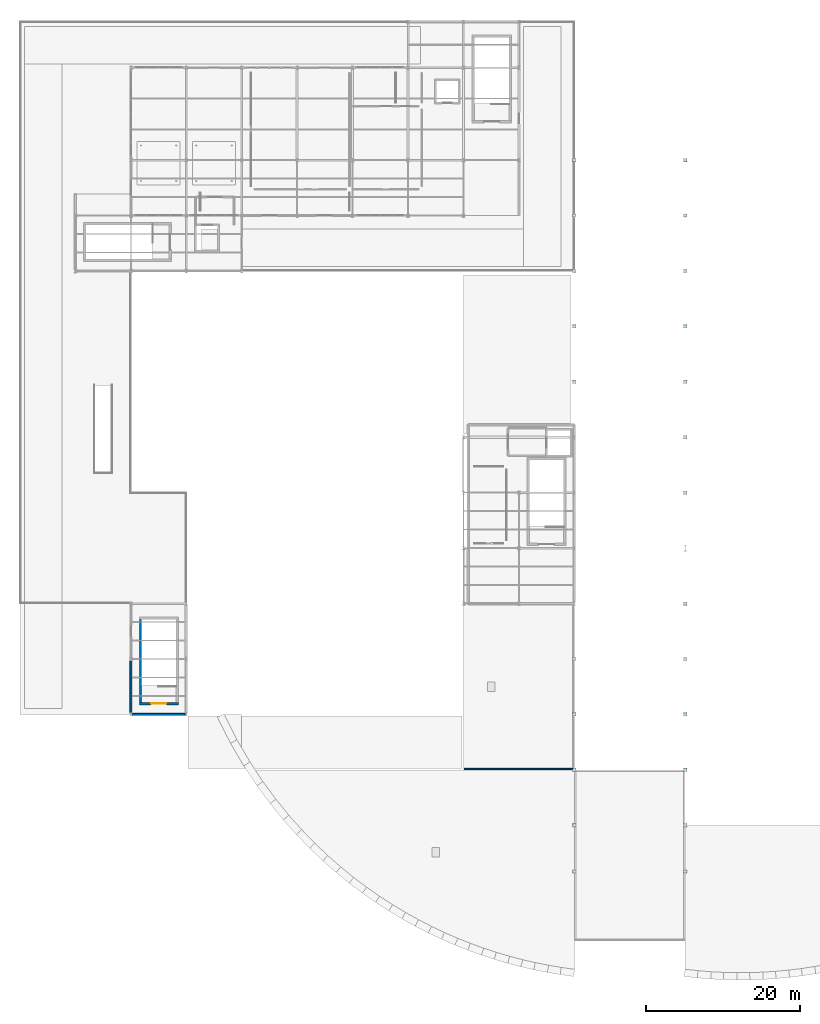
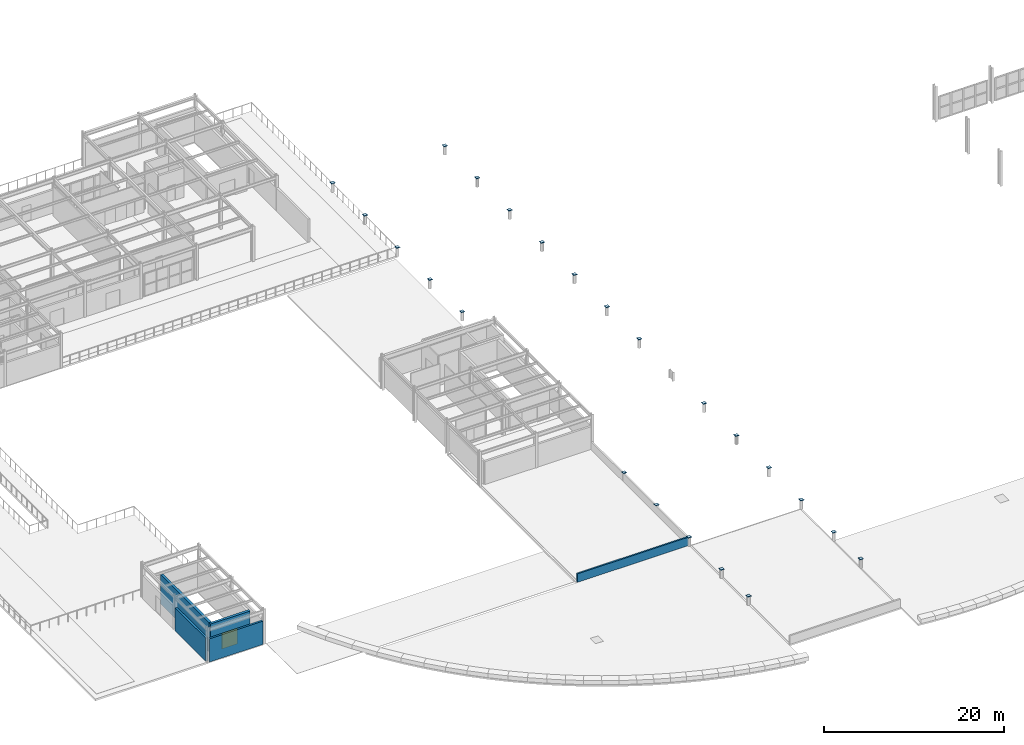
# One storey, part 32 of 41: 23 plates, 5 walls, 1 door, 1 opening.
"""IFC4 building model written with IfcOpenShell, lengths in metres."""

import ifcopenshell
import ifcopenshell.guid

model = None  # the IFC model being written
_history = None  # IfcOwnerHistory: only IFC2X3 demands one
_inside = {}  # id of a spatial element -> (the spatial element, [elements in it])
_under = {}  # id of a project, library or spatial element -> (it, [spatial elements below it])
_declared = {}  # id of a project -> (the project, [libraries it declares])
_typed = {}  # id of a type object -> (the type object, [elements of that type])
_made_of = {}  # id of a material, layer set ... -> (it, [elements and type objects made of it])


def new_model(schema):
    """Start an empty IFC model of exactly this schema.

    Asked for "IFC4X3", IfcOpenShell would pick the latest addendum, in which some entities
    have other attributes; the version numbers below select the first issue.
    IFC2X3 requires an IfcOwnerHistory on every rooted entity: one is made here for all.
    """
    global model, _history
    if schema == "IFC4X3":
        model = ifcopenshell.file(schema_version=(4, 3, 0, 0))
    else:
        model = ifcopenshell.file(schema=schema)
    _inside.clear()
    _under.clear()
    _declared.clear()
    _typed.clear()
    _made_of.clear()
    _history = None
    if model.schema == "IFC2X3":
        org = make("IfcOrganization", Name="unknown")
        user = make(
            "IfcPersonAndOrganization",
            ThePerson=make("IfcPerson", FamilyName="unknown"),
            TheOrganization=org,
        )
        app = make(
            "IfcApplication",
            ApplicationDeveloper=org,
            Version="unknown",
            ApplicationFullName="unknown",
            ApplicationIdentifier="unknown",
        )
        _history = make(
            "IfcOwnerHistory",
            OwningUser=user,
            OwningApplication=app,
            ChangeAction="ADDED",
            CreationDate=0,
        )
    return model


def make(cls, **values):
    """One entity of the class cls with the attributes given. An attribute that is None is left unset."""
    return model.create_entity(
        cls, **{name: value for name, value in values.items() if value is not None}
    )


def rooted(cls, **values):
    """An entity with a GlobalId (a new one), such as an element, a storey or a relation."""
    return make(cls, GlobalId=ifcopenshell.guid.new(), OwnerHistory=_history, **values)


def si_unit(unit_type, name, prefix=None):
    """IfcSIUnit, for example si_unit("LENGTHUNIT", "METRE", prefix="MILLI")."""
    return make("IfcSIUnit", UnitType=unit_type, Prefix=prefix, Name=name)


def assignment(units):
    """IfcUnitAssignment: the units of a project."""
    return None if units is None else make("IfcUnitAssignment", Units=units)


def point(xyz):
    """IfcCartesianPoint."""
    return None if xyz is None else make("IfcCartesianPoint", Coordinates=xyz)


def direction(xyz):
    """IfcDirection."""
    return None if xyz is None else make("IfcDirection", DirectionRatios=xyz)


def frame(location, z_axis=None, x_axis=None):
    """IfcAxis2Placement3D, a coordinate frame: its origin and axes. An axis left out is left unset."""
    return make(
        "IfcAxis2Placement3D",
        Location=point(location),
        Axis=direction(z_axis),
        RefDirection=direction(x_axis),
    )


def frame_2d(location, x_axis=None):
    """IfcAxis2Placement2D, a coordinate frame in the plane: its origin and x axis."""
    return make(
        "IfcAxis2Placement2D", Location=point(location), RefDirection=direction(x_axis)
    )


def origin():
    """The frame at (0, 0, 0) with its axes left unset."""
    return frame((0.0, 0.0, 0.0))


def origin_2d():
    """The frame at (0, 0) in the plane with its x axis left unset."""
    return frame_2d((0.0, 0.0))


def place(relative_to, where):
    """IfcLocalPlacement: puts the frame where relative to a parent placement (None: the world)."""
    return make(
        "IfcLocalPlacement", PlacementRelTo=relative_to, RelativePlacement=where
    )


def context(
    kind, dimensions, precision=None, world=None, true_north=None, identifier=None
):
    """IfcGeometricRepresentationContext, for example the 3D "Model" context."""
    return make(
        "IfcGeometricRepresentationContext",
        ContextIdentifier=identifier,
        ContextType=kind,
        CoordinateSpaceDimension=dimensions,
        Precision=precision,
        WorldCoordinateSystem=world,
        TrueNorth=true_north,
    )


def subcontext(parent, identifier, kind, view, scale=None):
    """IfcGeometricRepresentationSubContext, for example "Body" below "Model"."""
    return make(
        "IfcGeometricRepresentationSubContext",
        ContextIdentifier=identifier,
        ContextType=kind,
        ParentContext=parent,
        TargetScale=scale,
        TargetView=view,
    )


def project(units=None, contexts=None):
    """IfcProject with its units and contexts."""
    return rooted(
        "IfcProject",
        Name="project",
        RepresentationContexts=contexts,
        UnitsInContext=assignment(units),
    )


def spatial(cls, under=None, at=None, **own):
    """A site, building, storey or space (cls), placed at a placement, below another one or the project."""
    s = rooted(cls, ObjectPlacement=at, **own)
    if under is not None:
        _under.setdefault(under.id(), (under, []))[1].append(s)
    return s


def profile(cls, at=None, kind="AREA", **sizes):
    """A parametric profile (cls). Its sizes go by their IFC names, for example OverallWidth=200.0."""
    return make(cls, ProfileType=kind, Position=at, **sizes)


def rectangle(**sizes):
    """IfcRectangleProfileDef."""
    return profile("IfcRectangleProfileDef", **sizes)


def extrude(swept, where, along, depth):
    """IfcExtrudedAreaSolid: the profile swept, set in the frame where, extruded along a direction by depth."""
    return make(
        "IfcExtrudedAreaSolid",
        SweptArea=swept,
        Position=where,
        ExtrudedDirection=direction(along),
        Depth=depth,
    )


def shape(context_of_items, identifier, shape_type, items):
    """IfcShapeRepresentation: the items that make up one representation, for example the "Body"."""
    return make(
        "IfcShapeRepresentation",
        ContextOfItems=context_of_items,
        RepresentationIdentifier=identifier,
        RepresentationType=shape_type,
        Items=items,
    )


def material(Name=None, Category=None):
    """IfcMaterial."""
    return make("IfcMaterial", Name=Name, Category=Category)


def layer(
    of_material, thickness, ventilated=None, Name=None, Category=None, Priority=None
):
    """IfcMaterialLayer: one layer of a wall or slab, of a material (None: an air gap)."""
    return make(
        "IfcMaterialLayer",
        Material=of_material,
        LayerThickness=thickness,
        IsVentilated=ventilated,
        Name=Name,
        Category=Category,
        Priority=Priority,
    )


def layer_set(layers, Name=None):
    """IfcMaterialLayerSet."""
    return make("IfcMaterialLayerSet", MaterialLayers=layers, LayerSetName=Name)


def made_of(thing, what):
    """Note that an element or type object is made of a material, layer set ...; save() writes the relation."""
    if what is not None:
        _made_of.setdefault(what.id(), (what, []))[1].append(thing)
    return thing


def type_object(cls, material=None, **own):
    """A type object (cls), such as IfcWallType, which elements share."""
    return made_of(rooted(cls, **own), material)


def element(
    cls,
    number,
    at=None,
    inside=None,
    cuts=None,
    type_object=None,
    material=None,
    context=None,
    identifier="Body",
    shape_type=None,
    held_by="IfcProductDefinitionShape",
    body=None,
    shapes=None,
    **own,
):
    """One element of the class cls, such as IfcWall. Its Tag is "e" and its number.

    at: its placement. inside: the storey or other place that contains it. cuts: it is an
    opening in that element (IfcRelVoidsElement). A single representation is given by context,
    identifier, shape_type and body (its items); several are given by shapes. held_by: the class
    of the entity that holds the representations. save() writes the other relations.
    """
    e = rooted(cls, Tag="e%d" % number, ObjectPlacement=at, **own)
    if body is not None:
        shapes = [shape(context, identifier, shape_type, body)]
    if shapes is not None:
        e.Representation = make(held_by, Representations=shapes)
    if inside is not None:
        _inside.setdefault(inside.id(), (inside, []))[1].append(e)
    if cuts is not None:
        rooted(
            "IfcRelVoidsElement", RelatingBuildingElement=cuts, RelatedOpeningElement=e
        )
    if type_object is not None:
        _typed.setdefault(type_object.id(), (type_object, []))[1].append(e)
    return made_of(e, material)


def fill(opening, filler):
    """IfcRelFillsElement: the door or window that sits in an opening."""
    return rooted(
        "IfcRelFillsElement",
        RelatingOpeningElement=opening,
        RelatedBuildingElement=filler,
    )


def aggregate(whole, parts):
    """IfcRelAggregates: a whole, such as a stair, and the parts it consists of."""
    return rooted("IfcRelAggregates", RelatingObject=whole, RelatedObjects=parts)


def save(model, path):
    """Write the relations noted so far, then the file.

    IfcRelAggregates (storeys below a building ...), IfcRelContainedInSpatialStructure (elements
    in a storey), IfcRelDefinesByType, IfcRelAssociatesMaterial and IfcRelDeclares: one each for
    every whole, place, type object, material and project.
    """
    for whole, parts in _under.values():
        aggregate(whole, parts)
    for where, things in _inside.values():
        rooted(
            "IfcRelContainedInSpatialStructure",
            RelatedElements=things,
            RelatingStructure=where,
        )
    for kind, things in _typed.values():
        rooted("IfcRelDefinesByType", RelatedObjects=things, RelatingType=kind)
    for what, things in _made_of.values():
        rooted("IfcRelAssociatesMaterial", RelatedObjects=things, RelatingMaterial=what)
    for by, libraries in _declared.values():
        rooted("IfcRelDeclares", RelatingContext=by, RelatedDefinitions=libraries)
    model.write(path)


model = new_model("IFC4")

# Units and contexts
model_context = context("Model", 3, precision=1e-05, world=origin(), true_north=direction((0.0, 1.0)))
body_context = subcontext(model_context, "Body", "Model", "MODEL_VIEW")
ifc_project = project(units=[si_unit("LENGTHUNIT", "METRE"), si_unit("AREAUNIT", "SQUARE_METRE"), si_unit("VOLUMEUNIT", "CUBIC_METRE"), si_unit("PLANEANGLEUNIT", "RADIAN"), si_unit("MASSUNIT", "GRAM", prefix="KILO")], contexts=[model_context])

# Site, building, storey
site_placement = place(None, origin())
site = spatial("IfcSite", under=ifc_project, at=site_placement, CompositionType="ELEMENT")
building_placement = place(site_placement, origin())
building = spatial("IfcBuilding", under=site, at=building_placement, Name="Solvadek Multi-Sports Hall", CompositionType="ELEMENT")
storey_placement = place(building_placement, frame((0.0, 0.0, 14.39990234375)))
storey = spatial("IfcBuildingStorey", under=building, at=storey_placement, Name="L03", CompositionType="ELEMENT", Elevation=14.39990234375)

# Plates
ifc_material_1 = material(Name="Steel E350 (350 MPa)", Category="steel")
ifc_layer_1 = layer(ifc_material_1, 0.02001953125, Name="Steel E350 (350 MPa)")
ifc_layer_set_1 = layer_set([ifc_layer_1], Name="Steel E350 (350 MPa)")
plate_type = type_object("IfcPlateType", Name="STR-PLT-CAP440", PredefinedType="USERDEFINED", material=ifc_layer_set_1)
for number, where, z_axis, x_axis, name in (
    (1, (72.0, 0.0, 1.2001953125), (0.0, 0.0, 1.0), (1.0, 0.0, 0.0), "Hollow Column End Cap #133"),
    (2, (72.0, 6.0, 1.2001953125), (0.0, 0.0, 1.0), (1.0, 0.0, 0.0), "Hollow Column End Cap #135"),
    (3, (72.0, 13.199951171875, 1.2001953125), (0.0, 0.0, 1.0), (1.0, 0.0, 0.0), "Hollow Column End Cap #137"),
    (4, (72.0, 20.39990234375, 1.2001953125), (0.0, 0.0, 1.0), (1.0, 0.0, 0.0), "Hollow Column End Cap #139"),
    (5, (72.0, 27.60009765625, 1.2001953125), (0.0, 0.0, 1.0), (1.0, 0.0, 0.0), "Hollow Column End Cap #141"),
    (6, (72.0, 63.60009765625, 1.2001953125), (0.0, 0.0, 1.0), (1.0, 0.0, 0.0), "Hollow Column End Cap #147"),
    (7, (72.0, 70.800048828125, 1.2001953125), (0.0, 0.0, 1.0), (1.0, 0.0, 0.0), "Hollow Column End Cap #149"),
    (8, (72.0, 78.0, 1.2001953125), (0.0, 0.0, 1.0), (1.0, 0.0, 0.0), "Hollow Column End Cap #151"),
    (9, (72.0, 85.199951171875, 1.2001953125), (0.0, 0.0, 1.0), (1.0, 0.0, 0.0), "Hollow Column End Cap #153"),
    (10, (72.0, 92.39990234375, 1.2001953125), (0.0, 0.0, 1.0), (1.0, 0.0, 0.0), "Hollow Column End Cap #155"),
    (11, (86.39990234375, 0.0, 1.2001953125), (0.0, 0.0, 1.0), (1.0, 0.0, 0.0), "Hollow Column End Cap #161"),
    (12, (86.39990234375, 6.0, 1.2001953125), (0.0, 0.0, 1.0), (1.0, 0.0, 0.0), "Hollow Column End Cap #163"),
    (13, (86.39990234375, 13.199951171875, 1.2001953125), (0.0, 0.0, 1.0), (1.0, 0.0, 0.0), "Hollow Column End Cap #165"),
    (14, (86.39990234375, 20.39990234375, 1.2001953125), (0.0, 0.0, 1.0), (1.0, 0.0, 0.0), "Hollow Column End Cap #167"),
    (15, (86.39990234375, 27.60009765625, 1.2001953125), (0.0, 0.0, 1.0), (1.0, 0.0, 0.0), "Hollow Column End Cap #169"),
    (16, (86.39990234375, 34.800048828125, 1.2001953125), (0.0, 0.0, 1.0), (1.0, 0.0, 0.0), "Hollow Column End Cap #171"),
    (17, (86.39990234375, 49.199951171875, 1.2001953125), (0.0, 0.0, 1.0), (1.0, 0.0, 0.0), "Hollow Column End Cap #174"),
    (18, (86.39990234375, 56.39990234375, 1.2001953125), (0.0, 0.0, 1.0), (1.0, 0.0, 0.0), "Hollow Column End Cap #176"),
    (19, (86.39990234375, 63.60009765625, 1.2001953125), (0.0, 0.0, 1.0), (1.0, 0.0, 0.0), "Hollow Column End Cap #178"),
    (20, (86.39990234375, 70.800048828125, 1.2001953125), (0.0, 0.0, 1.0), (1.0, 0.0, 0.0), "Hollow Column End Cap #180"),
    (21, (86.39990234375, 78.0, 1.2001953125), (0.0, 0.0, 1.0), (1.0, 0.0, 0.0), "Hollow Column End Cap #182"),
    (22, (86.39990234375, 85.199951171875, 1.2001953125), (0.0, 0.0, 1.0), (1.0, 0.0, 0.0), "Hollow Column End Cap #184"),
    (23, (86.39990234375, 92.39990234375, 1.2001953125), (0.0, 0.0, 1.0), (1.0, 0.0, 0.0), "Hollow Column End Cap #186"),
):
    element("IfcPlate", number, at=place(storey_placement, frame(where, z_axis=z_axis, x_axis=x_axis)), inside=storey, type_object=plate_type, Name=name, ObjectType="BASE_PLATE", PredefinedType="USERDEFINED", context=body_context, shape_type="SweptSolid", body=[
        extrude(rectangle(XDim=0.43994140625, YDim=0.43994140625, at=origin_2d()), origin(), (0.0, 0.0, 1.0), 0.02001953125),
    ])

# Walls
ifc_material_2 = material(Name="Dressed honey-cream limestone ashlar", Category="masonry")
ifc_layer_2 = layer(ifc_material_2, 0.25, Name="Dressed honey-cream limestone ashlar")
ifc_layer_set_2 = layer_set([ifc_layer_2], Name="Dressed honey-cream limestone ashlar")
wall_type_1 = type_object("IfcWallType", Name="ENV-WAL-EXT250", PredefinedType="SOLIDWALL", material=ifc_layer_set_2)
wall_1_placement = place(storey_placement, frame((14.553955078125, 20.39990234375, 0.0), z_axis=(0.0, 0.0, 1.0), x_axis=(1.0, 0.0, 0.0)))
element("IfcWall", 24, at=wall_1_placement, inside=storey, type_object=wall_type_1, Name="L03 Exterior Masonry Wall #306", PredefinedType="SOLIDWALL", context=body_context, shape_type="SweptSolid", body=[
    extrude(rectangle(XDim=6.89208984375, YDim=0.25, at=frame_2d((3.446044921875, 0.0))), origin(), (0.0, 0.0, 1.0), 3.150146484375),
])
wall_2_placement = place(storey_placement, frame((14.39990234375, 20.60400390625, 0.0), z_axis=(0.0, 0.0, 1.0), x_axis=(0.0, 1.0, 0.0)))
element("IfcWall", 25, at=wall_2_placement, inside=storey, type_object=wall_type_1, Name="L03 Exterior Masonry Wall #308", PredefinedType="SOLIDWALL", context=body_context, shape_type="SweptSolid", body=[
    extrude(rectangle(XDim=6.7919921875, YDim=0.25, at=frame_2d((3.39599609375, 0.0))), origin(), (0.0, 0.0, 1.0), 3.150146484375),
])
ifc_layer_3 = layer(ifc_material_2, 0.199951171875, Name="Dressed honey-cream limestone ashlar")
ifc_layer_set_3 = layer_set([ifc_layer_3], Name="Dressed honey-cream limestone ashlar")
wall_type_2 = type_object("IfcWallType", Name="ENV-WAL-PAR200", PredefinedType="PARAPET", material=ifc_layer_set_3)
wall_3_placement = place(storey_placement, frame((57.699951171875, 13.300048828125, 0.0), z_axis=(0.0, 0.0, 1.0), x_axis=(1.0, 0.0, 0.0)))
element("IfcWall", 26, at=wall_3_placement, inside=storey, type_object=wall_type_2, Name="L03 Roof Parapet Wall #313", PredefinedType="PARAPET", context=body_context, shape_type="SweptSolid", body=[
    extrude(rectangle(XDim=14.199951171875, YDim=0.199951171875, at=frame_2d((7.10009765625, 0.0))), origin(), (0.0, 0.0, 1.0), 1.150146484375),
])

# Wall, opening, door
ifc_material_3 = material(Name="Concrete M40", Category="concrete")
ifc_layer_4 = layer(ifc_material_3, 0.320068359375, Name="Concrete M40")
ifc_layer_set_4 = layer_set([ifc_layer_4], Name="Concrete M40")
wall_type_3 = type_object("IfcWallType", Name="INT-WAL-SHR320", PredefinedType="SHEAR", material=ifc_layer_set_4)
wall_4_placement = place(storey_placement, frame((15.489990234375, 21.800048828125, 0.0), z_axis=(0.0, 0.0, 1.0), x_axis=(1.0, 0.0, 0.0)))
wall_4 = element("IfcWall", 27, at=wall_4_placement, inside=storey, type_object=wall_type_3, Name="L03 Stair ST-01 Shear Wall S", PredefinedType="SHEAR", context=body_context, shape_type="SweptSolid", body=[
    extrude(rectangle(XDim=5.070068359375, YDim=0.320068359375, at=frame_2d((2.53515625, 0.0))), origin(), (0.0, 0.0, 1.0), 4.0),
])
opening_placement = place(wall_4_placement, frame((1.534912109375, 0.0, 0.0)))
opening = element("IfcOpeningElement", 28, at=opening_placement, cuts=wall_4, Name="Opening FD120", PredefinedType="OPENING", context=body_context, shape_type="SweptSolid", body=[
    extrude(rectangle(XDim=2.0, YDim=2.14990234375, at=frame_2d((1.0, 1.074951171875))), frame((0.0, 0.169921875, 0.0), z_axis=(0.0, -1.0, 0.0), x_axis=(1.0, 0.0, 0.0)), (0.0, 0.0, 1.0), 0.340087890625),
])
ifc_material_4 = material(Name="Steel E250 (250 MPa)", Category="steel")
door_type = type_object("IfcDoorType", Name="INT-DOR-FD200X215", OperationType="DOUBLE_DOOR_SINGLE_SWING", PredefinedType="DOOR", material=ifc_material_4)
door_placement = place(opening_placement, origin())
door = element("IfcDoor", 29, at=door_placement, inside=storey, type_object=door_type, Name="L03 Stair ST-01 Fire Door", OperationType="DOUBLE_DOOR_SINGLE_SWING", OverallHeight=2.14990234375, OverallWidth=2.0, PredefinedType="DOOR", context=body_context, shape_type="SweptSolid", body=[
    extrude(rectangle(XDim=2.0, YDim=2.14990234375, at=frame_2d((1.0, 1.074951171875))), frame((0.0, 0.02490234375, 0.0), z_axis=(0.0, -1.0, 0.0), x_axis=(1.0, 0.0, 0.0)), (0.0, 0.0, 1.0), 0.050048828125),
])
fill(opening, door)

# Wall
wall_5_placement = place(storey_placement, frame((15.64990234375, 21.9599609375, 0.0), z_axis=(0.0, 0.0, 1.0), x_axis=(0.0, 1.0, 0.0)))
element("IfcWall", 30, at=wall_5_placement, inside=storey, type_object=wall_type_3, Name="L03 Stair ST-01 Shear Wall W", PredefinedType="SHEAR", context=body_context, shape_type="SweptSolid", body=[
    extrude(rectangle(XDim=10.780029296875, YDim=0.320068359375, at=frame_2d((5.39013671875, 0.0))), origin(), (0.0, 0.0, 1.0), 4.0),
])

save(model, "model.ifc")
